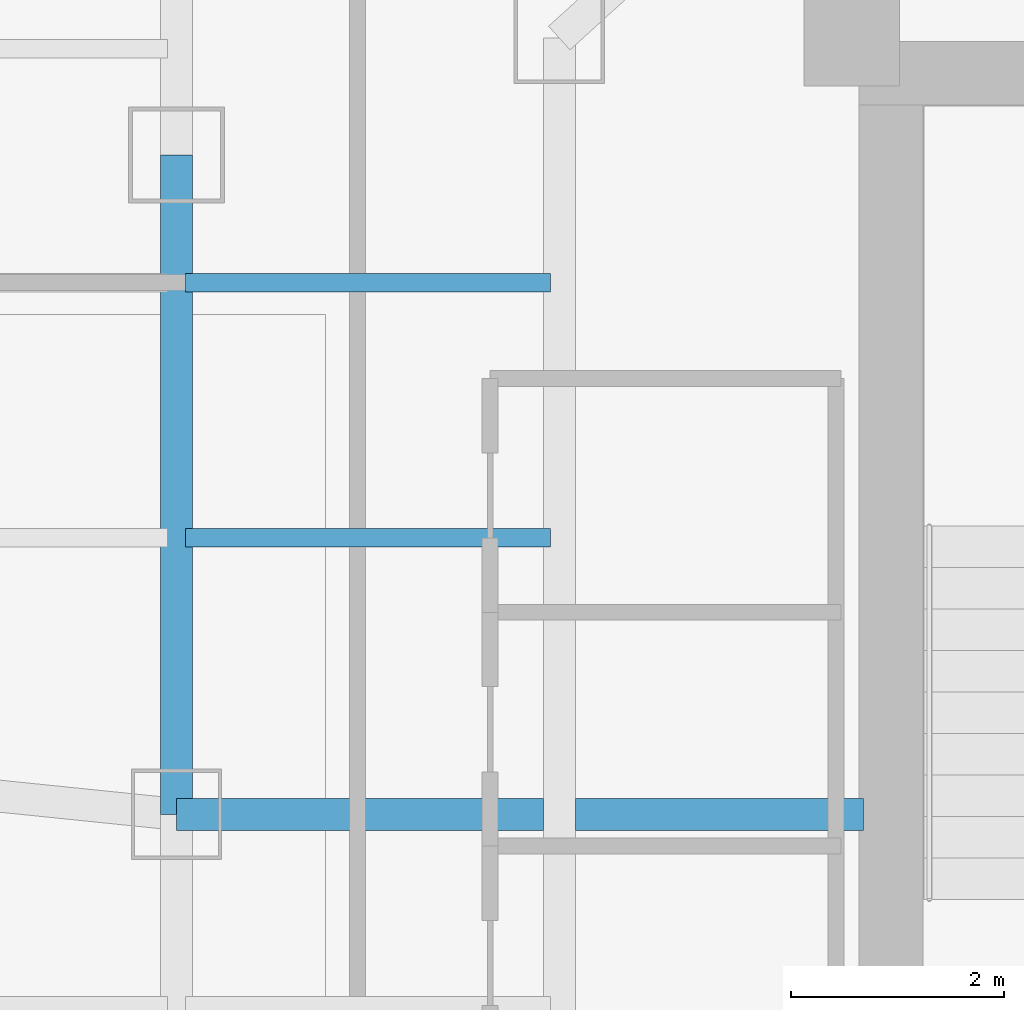
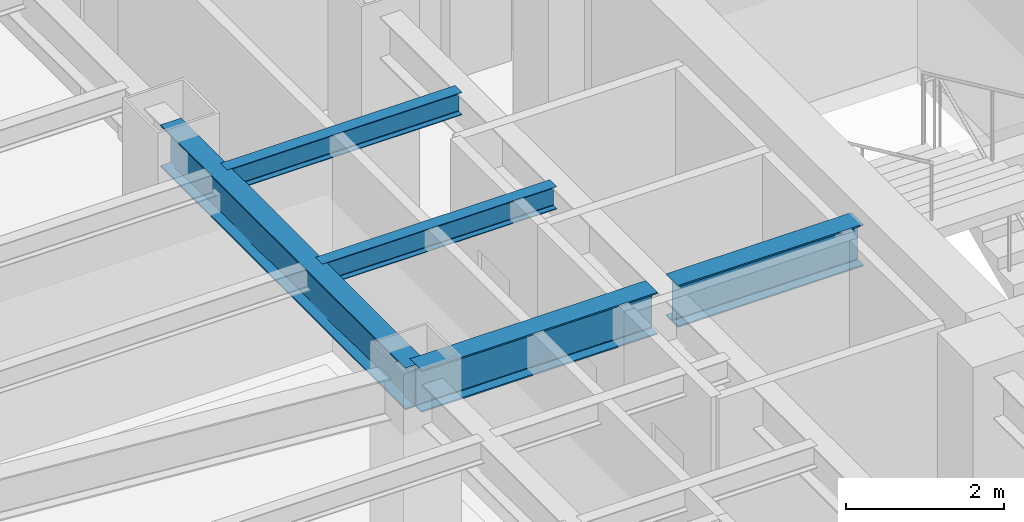
# One storey, part 16 of 29: 5 beams.
"""IFC4 building model written with IfcOpenShell, lengths in metres."""

from ifc_helpers import new_model, si_unit, direction, frame, origin, origin_2d, place, context, subcontext, project, spatial, i_section, extrude, material, material_profile, profile_set, type_object, element, save


model = new_model("IFC4")

# Units and contexts
model_context = context("Model", 3, precision=1e-05, world=origin(), true_north=direction((0.0, 1.0)))
body_context = subcontext(model_context, "Body", "Model", "MODEL_VIEW")
ifc_project = project(units=[si_unit("LENGTHUNIT", "METRE"), si_unit("AREAUNIT", "SQUARE_METRE"), si_unit("VOLUMEUNIT", "CUBIC_METRE"), si_unit("PLANEANGLEUNIT", "RADIAN"), si_unit("MASSUNIT", "GRAM", prefix="KILO")], contexts=[model_context])

# Site, building, storey
site_placement = place(None, origin())
site = spatial("IfcSite", under=ifc_project, at=site_placement, CompositionType="ELEMENT")
building_placement = place(site_placement, origin())
building = spatial("IfcBuilding", under=site, at=building_placement, Name="Hatsunagi Terrace Concourse", CompositionType="ELEMENT")
storey_placement = place(building_placement, frame((0.0, 0.0, 108.449951171875)))
storey = spatial("IfcBuildingStorey", under=building, at=storey_placement, Name="L28", CompositionType="ELEMENT", Elevation=108.449951171875)

# Beams
ifc_material_1 = material(Name="Steel SN490B", Category="steel")
ifc_material_profile_1 = material_profile(ifc_material_1, i_section(OverallWidth=0.175048828125, OverallDepth=0.35009765625, WebThickness=0.007080078125, FlangeThickness=0.010986328125, FilletRadius=0.012939453125, at=origin_2d()), Name="H-350x175x7x11")
ifc_profile_set_1 = profile_set([ifc_material_profile_1], Name="Steel SN490B")
beam_type_1 = type_object("IfcBeamType", Name="HotelJoist_H_350x175", PredefinedType="JOIST", material=ifc_profile_set_1)
for number, where, z_axis, x_axis, name in (
    (1, (19.284912109375, 38.60009765625, 3.175048828125), (1.0, 0.0, 0.0), (0.0, 1.0, 0.0), "Beam J-02 J-L28-W-19-386"),
    (2, (19.284912109375, 41.0, 3.175048828125), (1.0, 0.0, 0.0), (0.0, 1.0, 0.0), "Beam J-02 J-L28-W-19-410"),
):
    element("IfcBeam", number, at=place(storey_placement, frame(where, z_axis=z_axis, x_axis=x_axis)), inside=storey, type_object=beam_type_1, Name=name, PredefinedType="JOIST", context=body_context, shape_type="SweptSolid", body=[
        extrude(i_section(OverallWidth=0.175048828125, OverallDepth=0.35009765625, WebThickness=0.007080078125, FlangeThickness=0.010986328125, FilletRadius=0.012939453125, at=origin_2d()), origin(), (0.0, 0.0, 1.0), 3.43017578125),
    ])
ifc_material_2 = material(Name="Steel SN490B", Category="steel")
ifc_material_profile_2 = material_profile(ifc_material_2, i_section(OverallWidth=0.300048828125, OverallDepth=0.64990234375, WebThickness=0.012939453125, FlangeThickness=0.02197265625, FilletRadius=0.01806640625, at=origin_2d()), Name="H-650x300x13x22")
ifc_profile_set_2 = profile_set([ifc_material_profile_2], Name="Steel SN490B")
beam_type_2 = type_object("IfcBeamType", Name="OfficeLowGirder_H_650x300", PredefinedType="BEAM", material=ifc_profile_set_2)
beam_1_placement = place(storey_placement, frame((19.199951171875, 36.0, 3.025146484375), z_axis=(0.0, 1.0, 0.0), x_axis=(-1.0, 0.0, 0.0)))
element("IfcBeam", 3, at=beam_1_placement, inside=storey, type_object=beam_type_2, Name="Beam G-05 BM-L28-NS-19-36", PredefinedType="BEAM", context=body_context, shape_type="SweptSolid", body=[
    extrude(i_section(OverallWidth=0.300048828125, OverallDepth=0.64990234375, WebThickness=0.012939453125, FlangeThickness=0.02197265625, FilletRadius=0.01806640625, at=origin_2d()), origin(), (0.0, 0.0, 1.0), 6.199951171875),
])
beam_2_placement = place(storey_placement, frame((19.199951171875, 36.0, 3.025146484375), z_axis=(1.0, 0.0, 0.0), x_axis=(0.0, 1.0, 0.0)))
element("IfcBeam", 4, at=beam_2_placement, inside=storey, type_object=beam_type_2, Name="Beam G-05 BM-L28-EW-3", PredefinedType="BEAM", context=body_context, shape_type="SweptSolid", body=[
    extrude(i_section(OverallWidth=0.300048828125, OverallDepth=0.64990234375, WebThickness=0.012939453125, FlangeThickness=0.02197265625, FilletRadius=0.01806640625, at=origin_2d()), origin(), (0.0, 0.0, 1.0), 3.449951171875),
])
beam_3_placement = place(storey_placement, frame((22.949951171875, 36.0, 3.025146484375), z_axis=(1.0, 0.0, 0.0), x_axis=(0.0, 1.0, 0.0)))
element("IfcBeam", 5, at=beam_3_placement, inside=storey, type_object=beam_type_2, Name="Beam G-05 BM-L28-EW-4", PredefinedType="BEAM", context=body_context, shape_type="SweptSolid", body=[
    extrude(i_section(OverallWidth=0.300048828125, OverallDepth=0.64990234375, WebThickness=0.012939453125, FlangeThickness=0.02197265625, FilletRadius=0.01806640625, at=origin_2d()), origin(), (0.0, 0.0, 1.0), 2.7099609375),
])

save(model, "model.ifc")
